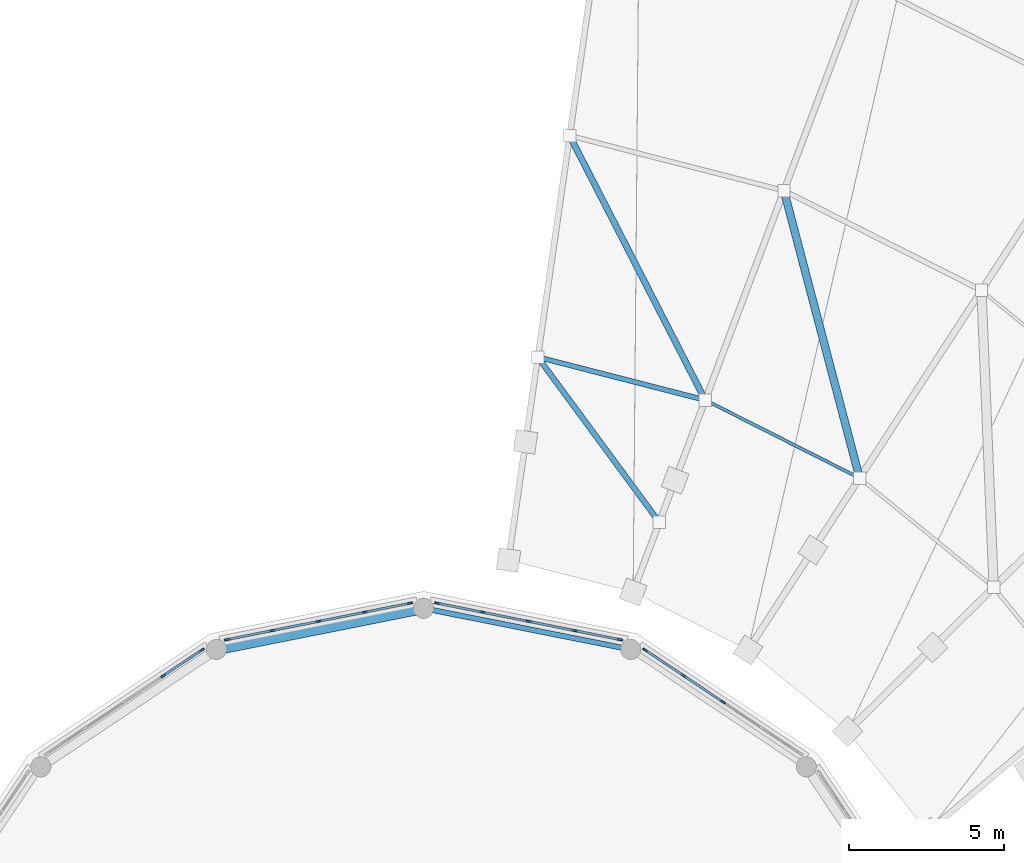
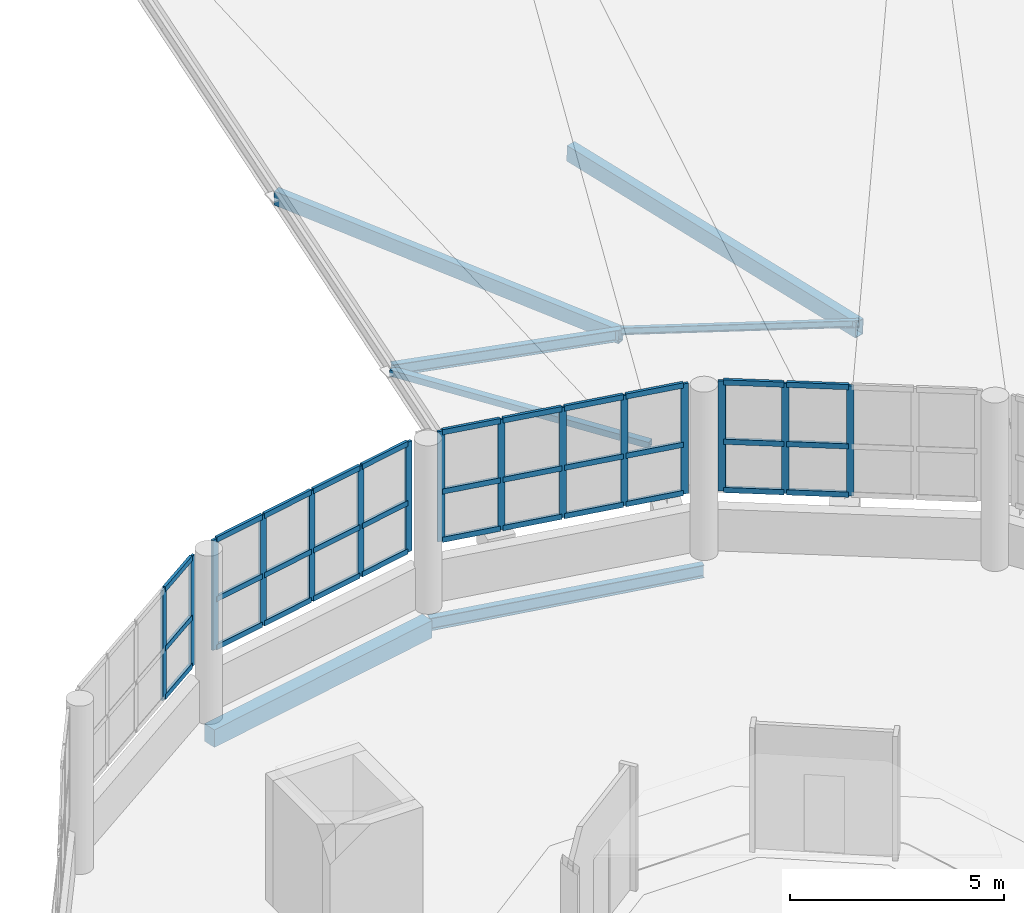
# One storey, part 6 of 12: 53 members, 2 beams, 4 elements without a shape of their own.
"""IFC4 building model written with IfcOpenShell, lengths in metres."""

from ifc_helpers import new_model, si_unit, direction, frame, origin, origin_2d, place, context, subcontext, project, spatial, rectangle, hollow_rectangle, i_section, extrude, material, material_profile, profile_set, type_object, element, aggregate, save


model = new_model("IFC4")

# Units and contexts
model_context = context("Model", 3, precision=1e-05, world=origin(), true_north=direction((0.0, 1.0)))
body_context = subcontext(model_context, "Body", "Model", "MODEL_VIEW")
ifc_project = project(units=[si_unit("LENGTHUNIT", "METRE"), si_unit("AREAUNIT", "SQUARE_METRE"), si_unit("VOLUMEUNIT", "CUBIC_METRE"), si_unit("PLANEANGLEUNIT", "RADIAN"), si_unit("MASSUNIT", "GRAM", prefix="KILO")], contexts=[model_context])

# Site, building, storey
site_placement = place(None, origin())
site = spatial("IfcSite", under=ifc_project, at=site_placement, CompositionType="ELEMENT")
building_placement = place(site_placement, origin())
building = spatial("IfcBuilding", under=site, at=building_placement, Name="Soyqirgoq Riverine Aquarium", CompositionType="ELEMENT")
storey_placement = place(building_placement, frame((0.0, 0.0, 24.60009765625)))
storey = spatial("IfcBuildingStorey", under=building, at=storey_placement, Name="L06", CompositionType="ELEMENT", Elevation=24.60009765625)

# Curtain wall, members
ifc_material_1 = material(Name="Anodised aluminium acoustic solar-control clerestory glazing", Category="aluminium")
curtain_wall_type = type_object("IfcCurtainWallType", Name="CW_Clerestory_Ring", PredefinedType="NOTDEFINED", material=ifc_material_1)
curtain_wall_1_placement = place(storey_placement, origin())
curtain_wall_1 = element("IfcCurtainWall", 1, at=curtain_wall_1_placement, inside=storey, type_object=curtain_wall_type, Name="V1 L06 Curtain Wall 010", PredefinedType="NOTDEFINED")
ifc_material_2 = material(Name="Anodised aluminium 6063-T6", Category="aluminium")
ifc_material_profile_1 = material_profile(ifc_material_2, rectangle(XDim=0.06494140625, YDim=0.179931640625, at=origin_2d()), Name="ALU-M 65x180")
ifc_profile_set_1 = profile_set([ifc_material_profile_1], Name="Anodised aluminium 6063-T6")
member_type_1 = type_object("IfcMemberType", Name="CWMullion_65x180", PredefinedType="MULLION", material=ifc_profile_set_1)
member_1_placement = place(storey_placement, frame((65.64453125, 71.434326171875, 1.619873046875), z_axis=(0.0, 0.0, 1.0), x_axis=(-0.555578639957, -0.831463994905, 0.0)))
member_1 = element("IfcMember", 2, at=member_1_placement, type_object=member_type_1, Name="CW-02 mullion 3", PredefinedType="MULLION", context=body_context, shape_type="SweptSolid", body=[
    extrude(rectangle(XDim=0.06494140625, YDim=0.179931640625, at=origin_2d()), origin(), (0.0, 0.0, 1.0), 3.14013671875),
])
member_2_placement = place(storey_placement, frame((64.3837890625, 72.27685546875, 1.619873046875), z_axis=(0.0, 0.0, 1.0), x_axis=(-0.555578639957, -0.831463994905, 0.0)))
member_2 = element("IfcMember", 3, at=member_2_placement, type_object=member_type_1, Name="CW-02 mullion 4", PredefinedType="MULLION", context=body_context, shape_type="SweptSolid", body=[
    extrude(rectangle(XDim=0.06494140625, YDim=0.179931640625, at=origin_2d()), origin(), (0.0, 0.0, 1.0), 3.14013671875),
])
member_3_placement = place(storey_placement, frame((63.149658203125, 73.101318359375, 1.619873046875), z_axis=(0.0, 0.0, 1.0), x_axis=(-0.555578639957, -0.831463994905, 0.0)))
member_3 = element("IfcMember", 4, at=member_3_placement, type_object=member_type_1, Name="CW-02 mullion 5", PredefinedType="MULLION", context=body_context, shape_type="SweptSolid", body=[
    extrude(rectangle(XDim=0.06494140625, YDim=0.179931640625, at=origin_2d()), origin(), (0.0, 0.0, 1.0), 3.14013671875),
])

curtain_wall_2_placement = place(storey_placement, origin())
curtain_wall_2 = element("IfcCurtainWall", 5, at=curtain_wall_2_placement, inside=storey, type_object=curtain_wall_type, Name="V1 L06 Curtain Wall 017", PredefinedType="NOTDEFINED")
member_4_placement = place(storey_placement, frame((62.329833984375, 73.44091796875, 1.619873046875), z_axis=(0.0, 0.0, 1.0), x_axis=(-0.19509525167, -0.980784299821, 0.0)))
member_4 = element("IfcMember", 6, at=member_4_placement, type_object=member_type_1, Name="CW-02 mullion 1", PredefinedType="MULLION", context=body_context, shape_type="SweptSolid", body=[
    extrude(rectangle(XDim=0.06494140625, YDim=0.179931640625, at=origin_2d()), origin(), (0.0, 0.0, 1.0), 3.14013671875),
])
member_5_placement = place(storey_placement, frame((60.874267578125, 73.73046875, 1.619873046875), z_axis=(0.0, 0.0, 1.0), x_axis=(-0.19509525167, -0.980784299821, 0.0)))
member_5 = element("IfcMember", 7, at=member_5_placement, type_object=member_type_1, Name="CW-02 mullion 2", PredefinedType="MULLION", context=body_context, shape_type="SweptSolid", body=[
    extrude(rectangle(XDim=0.06494140625, YDim=0.179931640625, at=origin_2d()), origin(), (0.0, 0.0, 1.0), 3.14013671875),
])
member_6_placement = place(storey_placement, frame((59.38671875, 74.0263671875, 1.619873046875), z_axis=(0.0, 0.0, 1.0), x_axis=(-0.19509525167, -0.980784299821, 0.0)))
member_6 = element("IfcMember", 8, at=member_6_placement, type_object=member_type_1, Name="CW-02 mullion 3", PredefinedType="MULLION", context=body_context, shape_type="SweptSolid", body=[
    extrude(rectangle(XDim=0.06494140625, YDim=0.179931640625, at=origin_2d()), origin(), (0.0, 0.0, 1.0), 3.14013671875),
])
member_7_placement = place(storey_placement, frame((57.8994140625, 74.322265625, 1.619873046875), z_axis=(0.0, 0.0, 1.0), x_axis=(-0.19509525167, -0.980784299821, 0.0)))
member_7 = element("IfcMember", 9, at=member_7_placement, type_object=member_type_1, Name="CW-02 mullion 4", PredefinedType="MULLION", context=body_context, shape_type="SweptSolid", body=[
    extrude(rectangle(XDim=0.06494140625, YDim=0.179931640625, at=origin_2d()), origin(), (0.0, 0.0, 1.0), 3.14013671875),
])
member_8_placement = place(storey_placement, frame((56.44384765625, 74.61181640625, 1.619873046875), z_axis=(0.0, 0.0, 1.0), x_axis=(-0.19509525167, -0.980784299821, 0.0)))
member_8 = element("IfcMember", 10, at=member_8_placement, type_object=member_type_1, Name="CW-02 mullion 5", PredefinedType="MULLION", context=body_context, shape_type="SweptSolid", body=[
    extrude(rectangle(XDim=0.06494140625, YDim=0.179931640625, at=origin_2d()), origin(), (0.0, 0.0, 1.0), 3.14013671875),
])

curtain_wall_3_placement = place(storey_placement, origin())
curtain_wall_3 = element("IfcCurtainWall", 11, at=curtain_wall_3_placement, inside=storey, type_object=curtain_wall_type, Name="V1 L06 Curtain Wall 019", PredefinedType="NOTDEFINED")
member_9_placement = place(storey_placement, frame((55.55615234375, 74.61181640625, 1.619873046875), z_axis=(0.0, 0.0, 1.0), x_axis=(0.19509525167, -0.980784299821, 0.0)))
member_9 = element("IfcMember", 12, at=member_9_placement, type_object=member_type_1, Name="CW-02 mullion 1", PredefinedType="MULLION", context=body_context, shape_type="SweptSolid", body=[
    extrude(rectangle(XDim=0.06494140625, YDim=0.179931640625, at=origin_2d()), origin(), (0.0, 0.0, 1.0), 3.14013671875),
])
member_10_placement = place(storey_placement, frame((54.1005859375, 74.322265625, 1.619873046875), z_axis=(0.0, 0.0, 1.0), x_axis=(0.19509525167, -0.980784299821, 0.0)))
member_10 = element("IfcMember", 13, at=member_10_placement, type_object=member_type_1, Name="CW-02 mullion 2", PredefinedType="MULLION", context=body_context, shape_type="SweptSolid", body=[
    extrude(rectangle(XDim=0.06494140625, YDim=0.179931640625, at=origin_2d()), origin(), (0.0, 0.0, 1.0), 3.14013671875),
])
member_11_placement = place(storey_placement, frame((52.61328125, 74.0263671875, 1.619873046875), z_axis=(0.0, 0.0, 1.0), x_axis=(0.19509525167, -0.980784299821, 0.0)))
member_11 = element("IfcMember", 14, at=member_11_placement, type_object=member_type_1, Name="CW-02 mullion 3", PredefinedType="MULLION", context=body_context, shape_type="SweptSolid", body=[
    extrude(rectangle(XDim=0.06494140625, YDim=0.179931640625, at=origin_2d()), origin(), (0.0, 0.0, 1.0), 3.14013671875),
])
member_12_placement = place(storey_placement, frame((51.125732421875, 73.73046875, 1.619873046875), z_axis=(0.0, 0.0, 1.0), x_axis=(0.19509525167, -0.980784299821, 0.0)))
member_12 = element("IfcMember", 15, at=member_12_placement, type_object=member_type_1, Name="CW-02 mullion 4", PredefinedType="MULLION", context=body_context, shape_type="SweptSolid", body=[
    extrude(rectangle(XDim=0.06494140625, YDim=0.179931640625, at=origin_2d()), origin(), (0.0, 0.0, 1.0), 3.14013671875),
])
member_13_placement = place(storey_placement, frame((49.670166015625, 73.44091796875, 1.619873046875), z_axis=(0.0, 0.0, 1.0), x_axis=(0.19509525167, -0.980784299821, 0.0)))
member_13 = element("IfcMember", 16, at=member_13_placement, type_object=member_type_1, Name="CW-02 mullion 5", PredefinedType="MULLION", context=body_context, shape_type="SweptSolid", body=[
    extrude(rectangle(XDim=0.06494140625, YDim=0.179931640625, at=origin_2d()), origin(), (0.0, 0.0, 1.0), 3.14013671875),
])

curtain_wall_4_placement = place(storey_placement, origin())
curtain_wall_4 = element("IfcCurtainWall", 17, at=curtain_wall_4_placement, inside=storey, type_object=curtain_wall_type, Name="V1 L06 Curtain Wall 021", PredefinedType="NOTDEFINED")
member_14_placement = place(storey_placement, frame((48.850341796875, 73.101318359375, 1.619873046875), z_axis=(0.0, 0.0, 1.0), x_axis=(0.555578639957, -0.831463994905, 0.0)))
member_14 = element("IfcMember", 18, at=member_14_placement, type_object=member_type_1, Name="CW-02 mullion 1", PredefinedType="MULLION", context=body_context, shape_type="SweptSolid", body=[
    extrude(rectangle(XDim=0.06494140625, YDim=0.179931640625, at=origin_2d()), origin(), (0.0, 0.0, 1.0), 3.14013671875),
])
member_15_placement = place(storey_placement, frame((47.6162109375, 72.27685546875, 1.619873046875), z_axis=(0.0, 0.0, 1.0), x_axis=(0.555578639957, -0.831463994905, 0.0)))
member_15 = element("IfcMember", 19, at=member_15_placement, type_object=member_type_1, Name="CW-02 mullion 2", PredefinedType="MULLION", context=body_context, shape_type="SweptSolid", body=[
    extrude(rectangle(XDim=0.06494140625, YDim=0.179931640625, at=origin_2d()), origin(), (0.0, 0.0, 1.0), 3.14013671875),
])

# Member
ifc_material_3 = material(Name="Anodised aluminium 6063-T6", Category="aluminium")
ifc_material_profile_2 = material_profile(ifc_material_3, rectangle(XDim=0.074951171875, YDim=0.14990234375, at=origin_2d()), Name="ALU-T 75x150")
ifc_profile_set_2 = profile_set([ifc_material_profile_2], Name="Anodised aluminium 6063-T6")
member_type_2 = type_object("IfcMemberType", Name="CWTransom_75x150", PredefinedType="USERDEFINED", material=ifc_profile_set_2)
member_16_placement = place(storey_placement, frame((65.61767578125, 71.452392578125, 1.657470703125), z_axis=(-0.831506528289, 0.555514980368, 0.0), x_axis=(-0.555514980368, -0.831506528289, 0.0)))
member_16 = element("IfcMember", 20, at=member_16_placement, type_object=member_type_2, Name="CW-02 transom 3.1", ObjectType="TRANSOM", PredefinedType="USERDEFINED", context=body_context, shape_type="SweptSolid", body=[
    extrude(rectangle(XDim=0.074951171875, YDim=0.14990234375, at=origin_2d()), origin(), (0.0, 0.0, 1.0), 1.45166015625),
])

member_17_placement = place(storey_placement, frame((65.61767578125, 71.452392578125, 3.032958984375), z_axis=(-0.831506528289, 0.555514980368, 0.0), x_axis=(-0.555514980368, -0.831506528289, 0.0)))
member_17 = element("IfcMember", 21, at=member_17_placement, type_object=member_type_2, Name="CW-02 transom 3.2", ObjectType="TRANSOM", PredefinedType="USERDEFINED", context=body_context, shape_type="SweptSolid", body=[
    extrude(rectangle(XDim=0.074951171875, YDim=0.14990234375, at=origin_2d()), origin(), (0.0, 0.0, 1.0), 1.45166015625),
])

member_18_placement = place(storey_placement, frame((65.61767578125, 71.452392578125, 4.722412109375), z_axis=(-0.831506528289, 0.555514980368, 0.0), x_axis=(-0.555514980368, -0.831506528289, 0.0)))
member_18 = element("IfcMember", 22, at=member_18_placement, type_object=member_type_2, Name="CW-02 transom 3.3", ObjectType="TRANSOM", PredefinedType="USERDEFINED", context=body_context, shape_type="SweptSolid", body=[
    extrude(rectangle(XDim=0.074951171875, YDim=0.14990234375, at=origin_2d()), origin(), (0.0, 0.0, 1.0), 1.45166015625),
])

member_19_placement = place(storey_placement, frame((64.356689453125, 72.294921875, 1.657470703125), z_axis=(-0.831494038542, 0.55553367483, 0.0), x_axis=(-0.55553367483, -0.831494038542, 0.0)))
member_19 = element("IfcMember", 23, at=member_19_placement, type_object=member_type_2, Name="CW-02 transom 4.1", ObjectType="TRANSOM", PredefinedType="USERDEFINED", context=body_context, shape_type="SweptSolid", body=[
    extrude(rectangle(XDim=0.074951171875, YDim=0.14990234375, at=origin_2d()), origin(), (0.0, 0.0, 1.0), 1.4189453125),
])

member_20_placement = place(storey_placement, frame((64.356689453125, 72.294921875, 3.032958984375), z_axis=(-0.831494038542, 0.55553367483, 0.0), x_axis=(-0.55553367483, -0.831494038542, 0.0)))
member_20 = element("IfcMember", 24, at=member_20_placement, type_object=member_type_2, Name="CW-02 transom 4.2", ObjectType="TRANSOM", PredefinedType="USERDEFINED", context=body_context, shape_type="SweptSolid", body=[
    extrude(rectangle(XDim=0.074951171875, YDim=0.14990234375, at=origin_2d()), origin(), (0.0, 0.0, 1.0), 1.4189453125),
])

member_21_placement = place(storey_placement, frame((64.356689453125, 72.294921875, 4.722412109375), z_axis=(-0.831494038542, 0.55553367483, 0.0), x_axis=(-0.55553367483, -0.831494038542, 0.0)))
member_21 = element("IfcMember", 25, at=member_21_placement, type_object=member_type_2, Name="CW-02 transom 4.3", ObjectType="TRANSOM", PredefinedType="USERDEFINED", context=body_context, shape_type="SweptSolid", body=[
    extrude(rectangle(XDim=0.074951171875, YDim=0.14990234375, at=origin_2d()), origin(), (0.0, 0.0, 1.0), 1.4189453125),
])

aggregate(curtain_wall_1, [member_1, member_2, member_3, member_16, member_17, member_18, member_19, member_20, member_21])

member_22_placement = place(storey_placement, frame((62.2978515625, 73.447265625, 1.657470703125), z_axis=(-0.980785260864, 0.195090420246, 0.0), x_axis=(-0.195090420246, -0.980785260864, 0.0)))
member_22 = element("IfcMember", 26, at=member_22_placement, type_object=member_type_2, Name="CW-02 transom 1.1", ObjectType="TRANSOM", PredefinedType="USERDEFINED", context=body_context, shape_type="SweptSolid", body=[
    extrude(rectangle(XDim=0.074951171875, YDim=0.14990234375, at=origin_2d()), origin(), (0.0, 0.0, 1.0), 1.419189453125),
])

member_23_placement = place(storey_placement, frame((62.2978515625, 73.447265625, 3.032958984375), z_axis=(-0.980785260864, 0.195090420246, 0.0), x_axis=(-0.195090420246, -0.980785260864, 0.0)))
member_23 = element("IfcMember", 27, at=member_23_placement, type_object=member_type_2, Name="CW-02 transom 1.2", ObjectType="TRANSOM", PredefinedType="USERDEFINED", context=body_context, shape_type="SweptSolid", body=[
    extrude(rectangle(XDim=0.074951171875, YDim=0.14990234375, at=origin_2d()), origin(), (0.0, 0.0, 1.0), 1.419189453125),
])

member_24_placement = place(storey_placement, frame((62.2978515625, 73.447265625, 4.722412109375), z_axis=(-0.980785260864, 0.195090420246, 0.0), x_axis=(-0.195090420246, -0.980785260864, 0.0)))
member_24 = element("IfcMember", 28, at=member_24_placement, type_object=member_type_2, Name="CW-02 transom 1.3", ObjectType="TRANSOM", PredefinedType="USERDEFINED", context=body_context, shape_type="SweptSolid", body=[
    extrude(rectangle(XDim=0.074951171875, YDim=0.14990234375, at=origin_2d()), origin(), (0.0, 0.0, 1.0), 1.419189453125),
])

member_25_placement = place(storey_placement, frame((60.84228515625, 73.73681640625, 1.657470703125), z_axis=(-0.980780710478, 0.195113295173, 0.0), x_axis=(-0.195113295173, -0.980780710478, 0.0)))
member_25 = element("IfcMember", 29, at=member_25_placement, type_object=member_type_2, Name="CW-02 transom 2.1", ObjectType="TRANSOM", PredefinedType="USERDEFINED", context=body_context, shape_type="SweptSolid", body=[
    extrude(rectangle(XDim=0.074951171875, YDim=0.14990234375, at=origin_2d()), origin(), (0.0, 0.0, 1.0), 1.451416015625),
])

member_26_placement = place(storey_placement, frame((60.84228515625, 73.73681640625, 3.032958984375), z_axis=(-0.980780710478, 0.195113295173, 0.0), x_axis=(-0.195113295173, -0.980780710478, 0.0)))
member_26 = element("IfcMember", 30, at=member_26_placement, type_object=member_type_2, Name="CW-02 transom 2.2", ObjectType="TRANSOM", PredefinedType="USERDEFINED", context=body_context, shape_type="SweptSolid", body=[
    extrude(rectangle(XDim=0.074951171875, YDim=0.14990234375, at=origin_2d()), origin(), (0.0, 0.0, 1.0), 1.451416015625),
])

member_27_placement = place(storey_placement, frame((60.84228515625, 73.73681640625, 4.722412109375), z_axis=(-0.980780710478, 0.195113295173, 0.0), x_axis=(-0.195113295173, -0.980780710478, 0.0)))
member_27 = element("IfcMember", 31, at=member_27_placement, type_object=member_type_2, Name="CW-02 transom 2.3", ObjectType="TRANSOM", PredefinedType="USERDEFINED", context=body_context, shape_type="SweptSolid", body=[
    extrude(rectangle(XDim=0.074951171875, YDim=0.14990234375, at=origin_2d()), origin(), (0.0, 0.0, 1.0), 1.451416015625),
])

member_28_placement = place(storey_placement, frame((59.35498046875, 74.03271484375, 1.657470703125), z_axis=(-0.980787112176, 0.195081112847, 0.0), x_axis=(-0.195081112847, -0.980787112176, 0.0)))
member_28 = element("IfcMember", 32, at=member_28_placement, type_object=member_type_2, Name="CW-02 transom 3.1", ObjectType="TRANSOM", PredefinedType="USERDEFINED", context=body_context, shape_type="SweptSolid", body=[
    extrude(rectangle(XDim=0.074951171875, YDim=0.14990234375, at=origin_2d()), origin(), (0.0, 0.0, 1.0), 1.45166015625),
])

member_29_placement = place(storey_placement, frame((59.35498046875, 74.03271484375, 3.032958984375), z_axis=(-0.980787112176, 0.195081112847, 0.0), x_axis=(-0.195081112847, -0.980787112176, 0.0)))
member_29 = element("IfcMember", 33, at=member_29_placement, type_object=member_type_2, Name="CW-02 transom 3.2", ObjectType="TRANSOM", PredefinedType="USERDEFINED", context=body_context, shape_type="SweptSolid", body=[
    extrude(rectangle(XDim=0.074951171875, YDim=0.14990234375, at=origin_2d()), origin(), (0.0, 0.0, 1.0), 1.45166015625),
])

member_30_placement = place(storey_placement, frame((59.35498046875, 74.03271484375, 4.722412109375), z_axis=(-0.980787112176, 0.195081112847, 0.0), x_axis=(-0.195081112847, -0.980787112176, 0.0)))
member_30 = element("IfcMember", 34, at=member_30_placement, type_object=member_type_2, Name="CW-02 transom 3.3", ObjectType="TRANSOM", PredefinedType="USERDEFINED", context=body_context, shape_type="SweptSolid", body=[
    extrude(rectangle(XDim=0.074951171875, YDim=0.14990234375, at=origin_2d()), origin(), (0.0, 0.0, 1.0), 1.45166015625),
])

member_31_placement = place(storey_placement, frame((57.867431640625, 74.32861328125, 1.657470703125), z_axis=(-0.980785260864, 0.195090420246, 0.0), x_axis=(-0.195090420246, -0.980785260864, 0.0)))
member_31 = element("IfcMember", 35, at=member_31_placement, type_object=member_type_2, Name="CW-02 transom 4.1", ObjectType="TRANSOM", PredefinedType="USERDEFINED", context=body_context, shape_type="SweptSolid", body=[
    extrude(rectangle(XDim=0.074951171875, YDim=0.14990234375, at=origin_2d()), origin(), (0.0, 0.0, 1.0), 1.419189453125),
])

member_32_placement = place(storey_placement, frame((57.867431640625, 74.32861328125, 3.032958984375), z_axis=(-0.980785260864, 0.195090420246, 0.0), x_axis=(-0.195090420246, -0.980785260864, 0.0)))
member_32 = element("IfcMember", 36, at=member_32_placement, type_object=member_type_2, Name="CW-02 transom 4.2", ObjectType="TRANSOM", PredefinedType="USERDEFINED", context=body_context, shape_type="SweptSolid", body=[
    extrude(rectangle(XDim=0.074951171875, YDim=0.14990234375, at=origin_2d()), origin(), (0.0, 0.0, 1.0), 1.419189453125),
])

member_33_placement = place(storey_placement, frame((57.867431640625, 74.32861328125, 4.722412109375), z_axis=(-0.980785260864, 0.195090420246, 0.0), x_axis=(-0.195090420246, -0.980785260864, 0.0)))
member_33 = element("IfcMember", 37, at=member_33_placement, type_object=member_type_2, Name="CW-02 transom 4.3", ObjectType="TRANSOM", PredefinedType="USERDEFINED", context=body_context, shape_type="SweptSolid", body=[
    extrude(rectangle(XDim=0.074951171875, YDim=0.14990234375, at=origin_2d()), origin(), (0.0, 0.0, 1.0), 1.419189453125),
])

aggregate(curtain_wall_2, [member_4, member_5, member_6, member_7, member_8, member_22, member_23, member_24, member_25, member_26, member_27, member_28, member_29, member_30, member_31, member_32, member_33])

member_34_placement = place(storey_placement, frame((55.5244140625, 74.60546875, 1.657470703125), z_axis=(-0.980785260864, -0.195090420246, 0.0), x_axis=(0.195090420246, -0.980785260864, 0.0)))
member_34 = element("IfcMember", 38, at=member_34_placement, type_object=member_type_2, Name="CW-02 transom 1.1", ObjectType="TRANSOM", PredefinedType="USERDEFINED", context=body_context, shape_type="SweptSolid", body=[
    extrude(rectangle(XDim=0.074951171875, YDim=0.14990234375, at=origin_2d()), origin(), (0.0, 0.0, 1.0), 1.419189453125),
])

member_35_placement = place(storey_placement, frame((55.5244140625, 74.60546875, 3.032958984375), z_axis=(-0.980785260864, -0.195090420246, 0.0), x_axis=(0.195090420246, -0.980785260864, 0.0)))
member_35 = element("IfcMember", 39, at=member_35_placement, type_object=member_type_2, Name="CW-02 transom 1.2", ObjectType="TRANSOM", PredefinedType="USERDEFINED", context=body_context, shape_type="SweptSolid", body=[
    extrude(rectangle(XDim=0.074951171875, YDim=0.14990234375, at=origin_2d()), origin(), (0.0, 0.0, 1.0), 1.419189453125),
])

member_36_placement = place(storey_placement, frame((55.5244140625, 74.60546875, 4.722412109375), z_axis=(-0.980785260864, -0.195090420246, 0.0), x_axis=(0.195090420246, -0.980785260864, 0.0)))
member_36 = element("IfcMember", 40, at=member_36_placement, type_object=member_type_2, Name="CW-02 transom 1.3", ObjectType="TRANSOM", PredefinedType="USERDEFINED", context=body_context, shape_type="SweptSolid", body=[
    extrude(rectangle(XDim=0.074951171875, YDim=0.14990234375, at=origin_2d()), origin(), (0.0, 0.0, 1.0), 1.419189453125),
])

member_37_placement = place(storey_placement, frame((54.06884765625, 74.31591796875, 1.657470703125), z_axis=(-0.980787112176, -0.195081112847, 0.0), x_axis=(0.195081112847, -0.980787112176, 0.0)))
member_37 = element("IfcMember", 41, at=member_37_placement, type_object=member_type_2, Name="CW-02 transom 2.1", ObjectType="TRANSOM", PredefinedType="USERDEFINED", context=body_context, shape_type="SweptSolid", body=[
    extrude(rectangle(XDim=0.074951171875, YDim=0.14990234375, at=origin_2d()), origin(), (0.0, 0.0, 1.0), 1.45166015625),
])

member_38_placement = place(storey_placement, frame((54.06884765625, 74.31591796875, 3.032958984375), z_axis=(-0.980787112176, -0.195081112847, 0.0), x_axis=(0.195081112847, -0.980787112176, 0.0)))
member_38 = element("IfcMember", 42, at=member_38_placement, type_object=member_type_2, Name="CW-02 transom 2.2", ObjectType="TRANSOM", PredefinedType="USERDEFINED", context=body_context, shape_type="SweptSolid", body=[
    extrude(rectangle(XDim=0.074951171875, YDim=0.14990234375, at=origin_2d()), origin(), (0.0, 0.0, 1.0), 1.45166015625),
])

member_39_placement = place(storey_placement, frame((54.06884765625, 74.31591796875, 4.722412109375), z_axis=(-0.980787112176, -0.195081112847, 0.0), x_axis=(0.195081112847, -0.980787112176, 0.0)))
member_39 = element("IfcMember", 43, at=member_39_placement, type_object=member_type_2, Name="CW-02 transom 2.3", ObjectType="TRANSOM", PredefinedType="USERDEFINED", context=body_context, shape_type="SweptSolid", body=[
    extrude(rectangle(XDim=0.074951171875, YDim=0.14990234375, at=origin_2d()), origin(), (0.0, 0.0, 1.0), 1.45166015625),
])

member_40_placement = place(storey_placement, frame((52.581298828125, 74.02001953125, 1.657470703125), z_axis=(-0.980780710478, -0.195113295173, 0.0), x_axis=(0.195113295173, -0.980780710478, 0.0)))
member_40 = element("IfcMember", 44, at=member_40_placement, type_object=member_type_2, Name="CW-02 transom 3.1", ObjectType="TRANSOM", PredefinedType="USERDEFINED", context=body_context, shape_type="SweptSolid", body=[
    extrude(rectangle(XDim=0.074951171875, YDim=0.14990234375, at=origin_2d()), origin(), (0.0, 0.0, 1.0), 1.451416015625),
])

member_41_placement = place(storey_placement, frame((52.581298828125, 74.02001953125, 3.032958984375), z_axis=(-0.980780710478, -0.195113295173, 0.0), x_axis=(0.195113295173, -0.980780710478, 0.0)))
member_41 = element("IfcMember", 45, at=member_41_placement, type_object=member_type_2, Name="CW-02 transom 3.2", ObjectType="TRANSOM", PredefinedType="USERDEFINED", context=body_context, shape_type="SweptSolid", body=[
    extrude(rectangle(XDim=0.074951171875, YDim=0.14990234375, at=origin_2d()), origin(), (0.0, 0.0, 1.0), 1.451416015625),
])

member_42_placement = place(storey_placement, frame((52.581298828125, 74.02001953125, 4.722412109375), z_axis=(-0.980780710478, -0.195113295173, 0.0), x_axis=(0.195113295173, -0.980780710478, 0.0)))
member_42 = element("IfcMember", 46, at=member_42_placement, type_object=member_type_2, Name="CW-02 transom 3.3", ObjectType="TRANSOM", PredefinedType="USERDEFINED", context=body_context, shape_type="SweptSolid", body=[
    extrude(rectangle(XDim=0.074951171875, YDim=0.14990234375, at=origin_2d()), origin(), (0.0, 0.0, 1.0), 1.451416015625),
])

member_43_placement = place(storey_placement, frame((51.093994140625, 73.72412109375, 1.657470703125), z_axis=(-0.980785260864, -0.195090420246, 0.0), x_axis=(0.195090420246, -0.980785260864, 0.0)))
member_43 = element("IfcMember", 47, at=member_43_placement, type_object=member_type_2, Name="CW-02 transom 4.1", ObjectType="TRANSOM", PredefinedType="USERDEFINED", context=body_context, shape_type="SweptSolid", body=[
    extrude(rectangle(XDim=0.074951171875, YDim=0.14990234375, at=origin_2d()), origin(), (0.0, 0.0, 1.0), 1.419189453125),
])

member_44_placement = place(storey_placement, frame((51.093994140625, 73.72412109375, 3.032958984375), z_axis=(-0.980785260864, -0.195090420246, 0.0), x_axis=(0.195090420246, -0.980785260864, 0.0)))
member_44 = element("IfcMember", 48, at=member_44_placement, type_object=member_type_2, Name="CW-02 transom 4.2", ObjectType="TRANSOM", PredefinedType="USERDEFINED", context=body_context, shape_type="SweptSolid", body=[
    extrude(rectangle(XDim=0.074951171875, YDim=0.14990234375, at=origin_2d()), origin(), (0.0, 0.0, 1.0), 1.419189453125),
])

member_45_placement = place(storey_placement, frame((51.093994140625, 73.72412109375, 4.722412109375), z_axis=(-0.980785260864, -0.195090420246, 0.0), x_axis=(0.195090420246, -0.980785260864, 0.0)))
member_45 = element("IfcMember", 49, at=member_45_placement, type_object=member_type_2, Name="CW-02 transom 4.3", ObjectType="TRANSOM", PredefinedType="USERDEFINED", context=body_context, shape_type="SweptSolid", body=[
    extrude(rectangle(XDim=0.074951171875, YDim=0.14990234375, at=origin_2d()), origin(), (0.0, 0.0, 1.0), 1.419189453125),
])

aggregate(curtain_wall_3, [member_9, member_10, member_11, member_12, member_13, member_34, member_35, member_36, member_37, member_38, member_39, member_40, member_41, member_42, member_43, member_44, member_45])

member_46_placement = place(storey_placement, frame((48.8232421875, 73.083251953125, 1.657470703125), z_axis=(-0.831494038542, -0.55553367483, 0.0), x_axis=(0.55553367483, -0.831494038542, 0.0)))
member_46 = element("IfcMember", 50, at=member_46_placement, type_object=member_type_2, Name="CW-02 transom 1.1", ObjectType="TRANSOM", PredefinedType="USERDEFINED", context=body_context, shape_type="SweptSolid", body=[
    extrude(rectangle(XDim=0.074951171875, YDim=0.14990234375, at=origin_2d()), origin(), (0.0, 0.0, 1.0), 1.4189453125),
])

member_47_placement = place(storey_placement, frame((48.8232421875, 73.083251953125, 3.032958984375), z_axis=(-0.831494038542, -0.55553367483, 0.0), x_axis=(0.55553367483, -0.831494038542, 0.0)))
member_47 = element("IfcMember", 51, at=member_47_placement, type_object=member_type_2, Name="CW-02 transom 1.2", ObjectType="TRANSOM", PredefinedType="USERDEFINED", context=body_context, shape_type="SweptSolid", body=[
    extrude(rectangle(XDim=0.074951171875, YDim=0.14990234375, at=origin_2d()), origin(), (0.0, 0.0, 1.0), 1.4189453125),
])

member_48_placement = place(storey_placement, frame((48.8232421875, 73.083251953125, 4.722412109375), z_axis=(-0.831494038542, -0.55553367483, 0.0), x_axis=(0.55553367483, -0.831494038542, 0.0)))
member_48 = element("IfcMember", 52, at=member_48_placement, type_object=member_type_2, Name="CW-02 transom 1.3", ObjectType="TRANSOM", PredefinedType="USERDEFINED", context=body_context, shape_type="SweptSolid", body=[
    extrude(rectangle(XDim=0.074951171875, YDim=0.14990234375, at=origin_2d()), origin(), (0.0, 0.0, 1.0), 1.4189453125),
])

aggregate(curtain_wall_4, [member_14, member_15, member_46, member_47, member_48])

# Members
ifc_material_4 = material(Name="Structural steel S355", Category="steel")
ifc_material_profile_3 = material_profile(ifc_material_4, hollow_rectangle(XDim=0.179931640625, YDim=0.179931640625, WallThickness=0.010009765625, at=origin_2d()), Name="SHS 180x180x10")
ifc_profile_set_3 = profile_set([ifc_material_profile_3], Name="Structural steel S355")
member_type_3 = type_object("IfcMemberType", Name="Diag_SHS180", PredefinedType="RAFTER", material=ifc_profile_set_3)
member_49_placement = place(storey_placement, frame((63.601318359375, 77.22265625, 0.2919921875), z_axis=(-0.592551960018, 0.804868316893, 0.032698121361), x_axis=(-0.805298931602, -0.592868982796, 0.0)))
element("IfcMember", 53, at=member_49_placement, inside=storey, type_object=member_type_3, Name="V5 Prairie Truss Sub-Rafter Diagonal 0208", PredefinedType="RAFTER", context=body_context, shape_type="SweptSolid", body=[
    extrude(hollow_rectangle(XDim=0.179931640625, YDim=0.179931640625, WallThickness=0.010009765625, at=origin_2d()), origin(), (0.0, 0.0, 1.0), 6.615234375),
])
ifc_material_5 = material(Name="Structural steel S355", Category="steel")
ifc_material_profile_4 = material_profile(ifc_material_5, i_section(OverallWidth=0.10009765625, OverallDepth=0.199951171875, WebThickness=0.005615234375, FlangeThickness=0.008544921875, FilletRadius=0.011962890625, at=origin_2d()), Name="IPE 200")
ifc_profile_set_4 = profile_set([ifc_material_profile_4], Name="Structural steel S355")
member_type_4 = type_object("IfcMemberType", Name="Purlin_IPE200", PredefinedType="PURLIN", material=ifc_profile_set_4)
member_50_placement = place(storey_placement, frame((70.0576171875, 78.64697265625, 0.613037109375), z_axis=(-0.892589095977, 0.450870692841, 0.000569281178), x_axis=(-0.4508707659, -0.892589240612, 0.0)))
element("IfcMember", 54, at=member_50_placement, inside=storey, type_object=member_type_4, Name="V5 Prairie Roof Purlin 0197", PredefinedType="PURLIN", context=body_context, shape_type="SweptSolid", body=[
    extrude(i_section(OverallWidth=0.10009765625, OverallDepth=0.199951171875, WebThickness=0.005615234375, FlangeThickness=0.008544921875, FilletRadius=0.011962890625, at=origin_2d()), origin(), (0.0, 0.0, 1.0), 5.5751953125),
])
ifc_material_6 = material(Name="Structural steel S355", Category="steel")
ifc_material_profile_5 = material_profile(ifc_material_6, i_section(OverallWidth=0.159912109375, OverallDepth=0.330078125, WebThickness=0.007568359375, FlangeThickness=0.011474609375, FilletRadius=0.01806640625, at=origin_2d()), Name="IPE 330")
ifc_profile_set_5 = profile_set([ifc_material_profile_5], Name="Structural steel S355")
member_type_5 = type_object("IfcMemberType", Name="Purlin_IPE330", PredefinedType="PURLIN", material=ifc_profile_set_5)
member_51_placement = place(storey_placement, frame((65.081298828125, 81.16064453125, 0.523193359375), z_axis=(-0.968557520382, 0.248686054718, 0.007181636375), x_axis=(-0.24869246807, -0.968582498461, 0.0)))
element("IfcMember", 55, at=member_51_placement, inside=storey, type_object=member_type_5, Name="V5 Prairie Roof Purlin 0201", PredefinedType="PURLIN", context=body_context, shape_type="SweptSolid", body=[
    extrude(i_section(OverallWidth=0.159912109375, OverallDepth=0.330078125, WebThickness=0.007568359375, FlangeThickness=0.011474609375, FilletRadius=0.01806640625, at=origin_2d()), origin(), (0.0, 0.0, 1.0), 5.5751953125),
])
ifc_material_7 = material(Name="Structural steel S355", Category="steel")
ifc_material_profile_6 = material_profile(ifc_material_7, hollow_rectangle(XDim=0.199951171875, YDim=0.39990234375, WallThickness=0.013916015625, at=origin_2d()), Name="RHS 400x200x14")
ifc_profile_set_6 = profile_set([ifc_material_profile_6], Name="Structural steel S355")
member_type_6 = type_object("IfcMemberType", Name="RingChord_RHS400x200", PredefinedType="CHORD", material=ifc_profile_set_6)
member_52_placement = place(storey_placement, frame((65.081298828125, 81.16064453125, 0.4833984375), z_axis=(-0.45603189037, 0.889319492659, 0.033849002083), x_axis=(-0.889829401976, -0.456293365478, 0.0)))
element("IfcMember", 56, at=member_52_placement, inside=storey, type_object=member_type_6, Name="V5 Lateral Wind Brace 0204", PredefinedType="CHORD", context=body_context, shape_type="SweptSolid", body=[
    extrude(hollow_rectangle(XDim=0.199951171875, YDim=0.39990234375, WallThickness=0.013916015625, at=origin_2d()), origin(), (0.0, 0.0, 1.0), 9.585693359375),
])
ifc_material_8 = material(Name="Structural steel S355", Category="steel")
ifc_material_profile_7 = material_profile(ifc_material_8, hollow_rectangle(XDim=0.25, YDim=0.449951171875, WallThickness=0.01611328125, at=origin_2d()), Name="RHS 450x250x16")
ifc_profile_set_7 = profile_set([ifc_material_profile_7], Name="Structural steel S355")
member_type_7 = type_object("IfcMemberType", Name="RingChord_RHS450x250", PredefinedType="CHORD", material=ifc_profile_set_7)
member_53_placement = place(storey_placement, frame((70.0576171875, 78.64697265625, 0.458251953125), z_axis=(-0.254444969001, 0.966631062534, 0.029700954435), x_axis=(-0.967057700021, -0.254557272202, 0.0)))
element("IfcMember", 57, at=member_53_placement, inside=storey, type_object=member_type_7, Name="V5 Lateral Wind Brace 0200", PredefinedType="CHORD", context=body_context, shape_type="SweptSolid", body=[
    extrude(hollow_rectangle(XDim=0.25, YDim=0.449951171875, WallThickness=0.01611328125, at=origin_2d()), origin(), (0.0, 0.0, 1.0), 9.58447265625),
])

# Beams
ifc_material_9 = material(Name="Concrete C40/50", Category="concrete")
ifc_material_profile_8 = material_profile(ifc_material_9, rectangle(XDim=0.35009765625, YDim=0.5, at=origin_2d()), Name="RC 350x500")
ifc_profile_set_8 = profile_set([ifc_material_profile_8], Name="Concrete C40/50")
beam_type_1 = type_object("IfcBeamType", Name="Spandrel_RC_350x500", PredefinedType="SPANDREL", material=ifc_profile_set_8)
beam_1_placement = place(storey_placement, frame((55.98046875, 74.446044921875, -0.550048828125), z_axis=(-0.980784073274, -0.195096390568, 0.0), x_axis=(0.195096390568, -0.980784073274, 0.0)))
element("IfcBeam", 58, at=beam_1_placement, inside=storey, type_object=beam_type_1, Name="V1 L06 Drum Spandrel Beam 0142", PredefinedType="SPANDREL", context=body_context, shape_type="SweptSolid", body=[
    extrude(rectangle(XDim=0.35009765625, YDim=0.5, at=origin_2d()), origin(), (0.0, 0.0, 1.0), 6.768798828125),
])
ifc_material_10 = material(Name="Structural steel S355", Category="steel")
ifc_material_profile_9 = material_profile(ifc_material_10, i_section(OverallWidth=0.169921875, OverallDepth=0.360107421875, WebThickness=0.008056640625, FlangeThickness=0.0126953125, FilletRadius=0.01806640625, at=origin_2d()), Name="IPE 360")
ifc_profile_set_9 = profile_set([ifc_material_profile_9], Name="Structural steel S355")
beam_type_2 = type_object("IfcBeamType", Name="Spandrel_Steel_IPE360", PredefinedType="SPANDREL", material=ifc_profile_set_9)
beam_2_placement = place(storey_placement, frame((62.658203125, 73.12548828125, -0.47998046875), z_axis=(-0.980784073274, 0.195096390568, 0.0), x_axis=(-0.195096390568, -0.980784073274, 0.0)))
element("IfcBeam", 59, at=beam_2_placement, inside=storey, type_object=beam_type_2, Name="V1 L06 Drum Spandrel Beam 0141", PredefinedType="SPANDREL", context=body_context, shape_type="SweptSolid", body=[
    extrude(i_section(OverallWidth=0.169921875, OverallDepth=0.360107421875, WebThickness=0.008056640625, FlangeThickness=0.0126953125, FilletRadius=0.01806640625, at=origin_2d()), origin(), (0.0, 0.0, 1.0), 6.768798828125),
])

save(model, "model.ifc")
